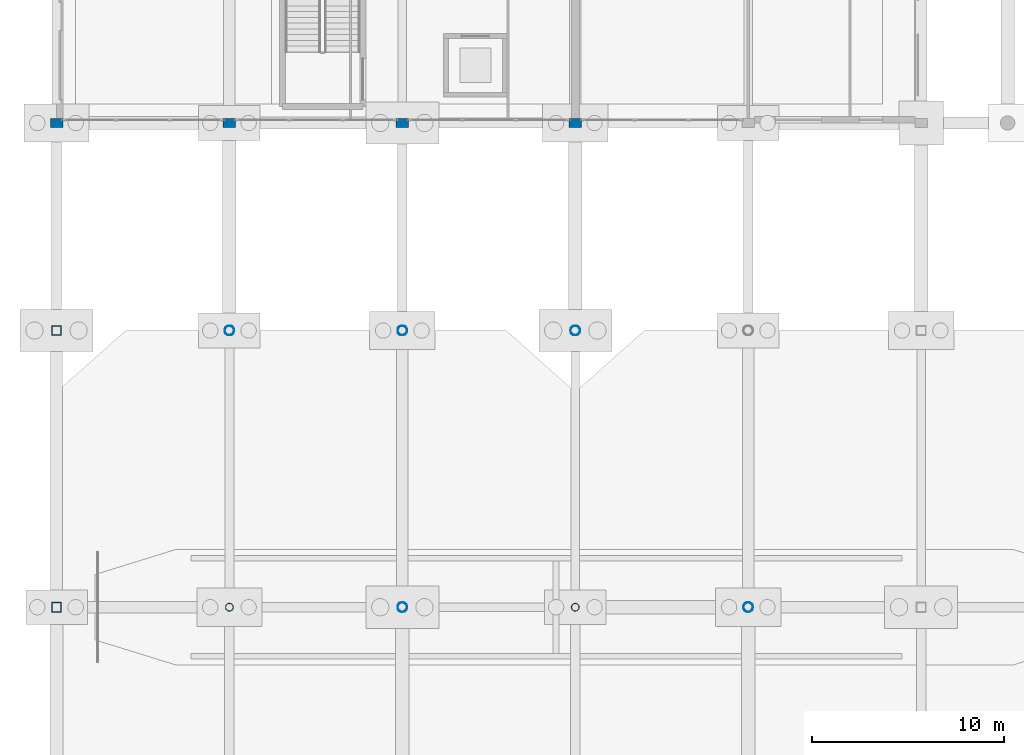
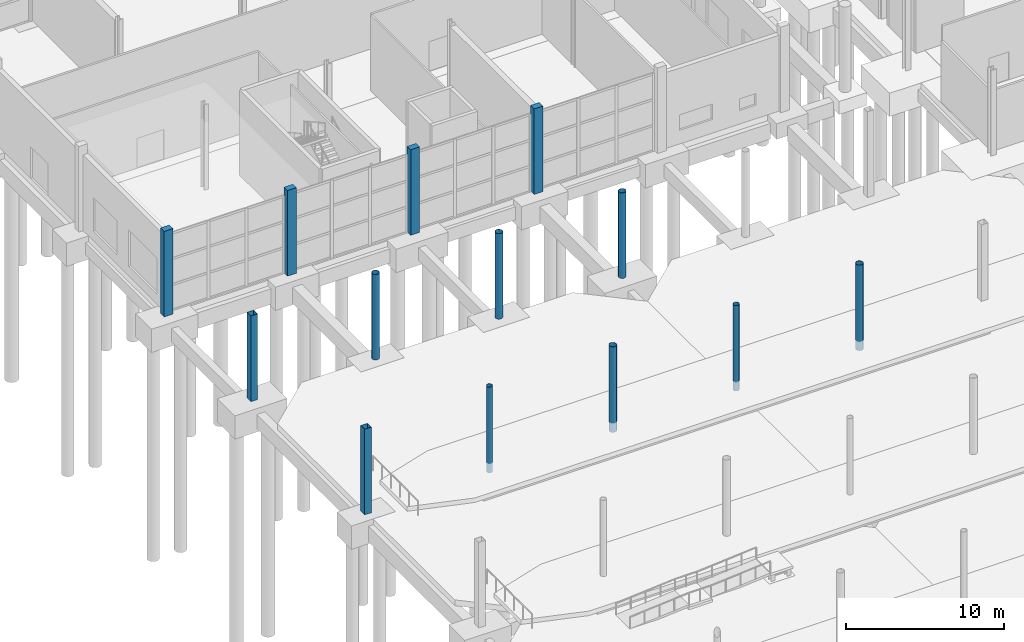
# One storey, part 17 of 115: 13 columns.
"""IFC4 building model written with IfcOpenShell, lengths in metres."""

from ifc_helpers import new_model, si_unit, direction, frame, origin, origin_2d, place, context, subcontext, project, spatial, rectangle, hollow_rectangle, hollow_circle, extrude, material, material_profile, profile_set, type_object, element, save


model = new_model("IFC4")

# Units and contexts
model_context = context("Model", 3, precision=1e-05, world=origin(), true_north=direction((0.0, 1.0)))
body_context = subcontext(model_context, "Body", "Model", "MODEL_VIEW")
ifc_project = project(units=[si_unit("LENGTHUNIT", "METRE"), si_unit("AREAUNIT", "SQUARE_METRE"), si_unit("VOLUMEUNIT", "CUBIC_METRE"), si_unit("PLANEANGLEUNIT", "RADIAN"), si_unit("MASSUNIT", "GRAM", prefix="KILO")], contexts=[model_context])

# Site, building, storey
site_placement = place(None, origin())
site = spatial("IfcSite", under=ifc_project, at=site_placement, CompositionType="ELEMENT")
building_placement = place(site_placement, origin())
building = spatial("IfcBuilding", under=site, at=building_placement, Name="Tamarisk Ironworks Central Station", CompositionType="ELEMENT")
storey_placement = place(building_placement, origin())
storey = spatial("IfcBuildingStorey", under=building, at=storey_placement, Name="L00", CompositionType="ELEMENT", Elevation=0.0)

# Columns
ifc_material_1 = material(Name="Clay facing brickwork and mortar", Category="masonry")
ifc_material_profile_1 = material_profile(ifc_material_1, rectangle(XDim=0.64990234375, YDim=0.449951171875, at=origin_2d()), Name="PIL 650x450")
ifc_profile_set_1 = profile_set([ifc_material_profile_1], Name="Clay facing brickwork and mortar")
column_type_1 = type_object("IfcColumnType", Name="COL-PIL01", PredefinedType="PILASTER", material=ifc_profile_set_1)
for number, where, z_axis, x_axis, name in (
    (1, (0.0, 90.0, 0.0), (0.0, 0.0, 1.0), (1.0, 0.0, 0.0), "L00 column V4-01H"),
    (2, (9.0, 90.0, 0.0), (0.0, 0.0, 1.0), (1.0, 0.0, 0.0), "L00 column V4-02H"),
    (3, (18.0, 90.0, 0.0), (0.0, 0.0, 1.0), (1.0, 0.0, 0.0), "L00 column V4-03H"),
    (4, (27.0, 90.0, 0.0), (0.0, 0.0, 1.0), (1.0, 0.0, 0.0), "L00 column V4-04H"),
):
    element("IfcColumn", number, at=place(storey_placement, frame(where, z_axis=z_axis, x_axis=x_axis)), inside=storey, type_object=column_type_1, Name=name, PredefinedType="PILASTER", context=body_context, shape_type="SweptSolid", body=[
        extrude(rectangle(XDim=0.64990234375, YDim=0.449951171875, at=origin_2d()), origin(), (0.0, 0.0, 1.0), 6.60009765625),
    ])
ifc_material_2 = material(Name="Structural steel S355J2H", Category="steel")
ifc_material_profile_2 = material_profile(ifc_material_2, hollow_rectangle(XDim=0.5, YDim=0.5, WallThickness=0.02001953125, at=origin_2d()), Name="SHS 500x500x20")
ifc_profile_set_2 = profile_set([ifc_material_profile_2], Name="Structural steel S355J2H")
column_type_2 = type_object("IfcColumnType", Name="COL-S13", PredefinedType="COLUMN", material=ifc_profile_set_2)
for number, where, z_axis, x_axis, name in (
    (5, (0.0, 64.800048828125, 0.0), (0.0, 0.0, 1.0), (1.0, 0.0, 0.0), "L00 column V1-01F"),
    (6, (0.0, 79.199951171875, 0.0), (0.0, 0.0, 1.0), (1.0, 0.0, 0.0), "L00 column V1-01G"),
):
    element("IfcColumn", number, at=place(storey_placement, frame(where, z_axis=z_axis, x_axis=x_axis)), inside=storey, type_object=column_type_2, Name=name, PredefinedType="COLUMN", context=body_context, shape_type="SweptSolid", body=[
        extrude(hollow_rectangle(XDim=0.5, YDim=0.5, WallThickness=0.02001953125, at=origin_2d()), origin(), (0.0, 0.0, 1.0), 6.60009765625),
    ])
ifc_material_profile_3 = material_profile(ifc_material_2, hollow_circle(Radius=0.25390625, WallThickness=0.01611328125, at=origin_2d()), Name="CHS 508x16")
ifc_profile_set_3 = profile_set([ifc_material_profile_3], Name="Structural steel S355J2H")
column_type_3 = type_object("IfcColumnType", Name="COL-S16", PredefinedType="COLUMN", material=ifc_profile_set_3)
for number, where, z_axis, x_axis, name in (
    (7, (9.0, 79.199951171875, 0.0), (0.0, 0.0, 1.0), (1.0, 0.0, 0.0), "L00 column V1-02G"),
    (8, (18.0, 64.800048828125, 0.0), (0.0, 0.0, 1.0), (1.0, 0.0, 0.0), "L00 column V1-03F"),
    (9, (18.0, 79.199951171875, 0.0), (0.0, 0.0, 1.0), (1.0, 0.0, 0.0), "L00 column V1-03G"),
    (10, (27.0, 79.199951171875, 0.0), (0.0, 0.0, 1.0), (1.0, 0.0, 0.0), "L00 column V1-04G"),
    (11, (36.0, 64.800048828125, 0.0), (0.0, 0.0, 1.0), (1.0, 0.0, 0.0), "L00 column V1-05F"),
):
    element("IfcColumn", number, at=place(storey_placement, frame(where, z_axis=z_axis, x_axis=x_axis)), inside=storey, type_object=column_type_3, Name=name, PredefinedType="COLUMN", context=body_context, shape_type="SweptSolid", body=[
        extrude(hollow_circle(Radius=0.25390625, WallThickness=0.01611328125, at=origin_2d()), origin(), (0.0, 0.0, 1.0), 6.60009765625),
    ])
ifc_material_profile_4 = material_profile(ifc_material_2, hollow_circle(Radius=0.203125, WallThickness=0.01416015625, at=origin_2d()), Name="CHS 406.4x14.2")
ifc_profile_set_4 = profile_set([ifc_material_profile_4], Name="Structural steel S355J2H")
column_type_4 = type_object("IfcColumnType", Name="COL-S17", PredefinedType="COLUMN", material=ifc_profile_set_4)
for number, where, z_axis, x_axis, name in (
    (12, (9.0, 64.800048828125, 0.0), (0.0, 0.0, 1.0), (1.0, 0.0, 0.0), "L00 column V1-02F"),
    (13, (27.0, 64.800048828125, 0.0), (0.0, 0.0, 1.0), (1.0, 0.0, 0.0), "L00 column V1-04F"),
):
    element("IfcColumn", number, at=place(storey_placement, frame(where, z_axis=z_axis, x_axis=x_axis)), inside=storey, type_object=column_type_4, Name=name, PredefinedType="COLUMN", context=body_context, shape_type="SweptSolid", body=[
        extrude(hollow_circle(Radius=0.203125, WallThickness=0.01416015625, at=origin_2d()), origin(), (0.0, 0.0, 1.0), 6.60009765625),
    ])

save(model, "model.ifc")
